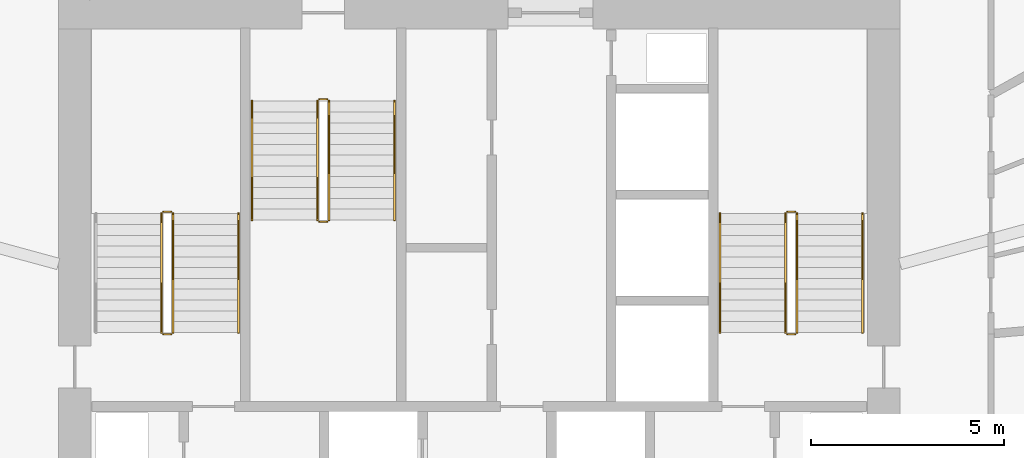
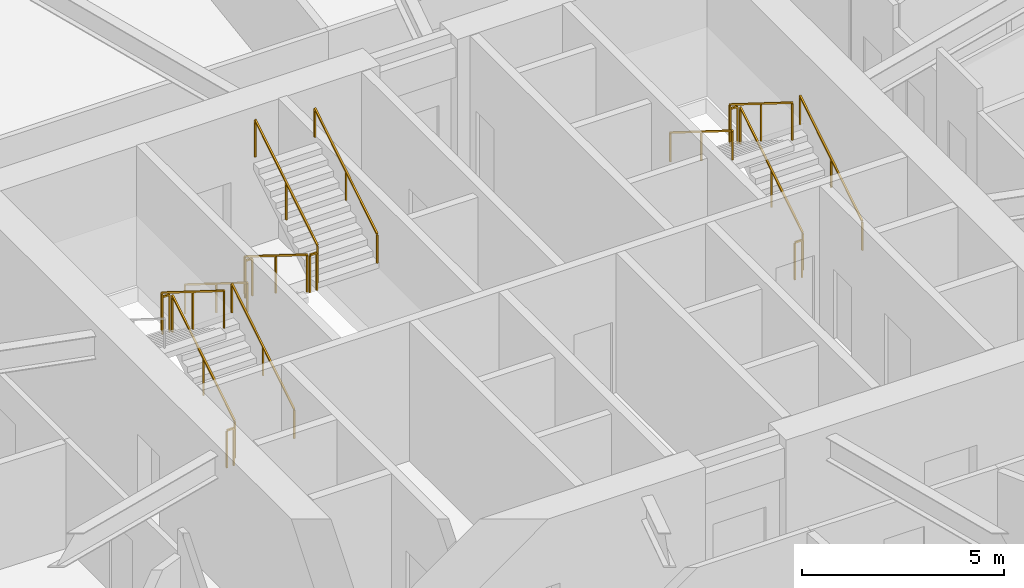
# One storey, part 30 of 31: 17 railings.
"""IFC4 building model written with IfcOpenShell, lengths in metres."""

from ifc_helpers import new_model, si_unit, direction, frame, origin, origin_2d, place, context, subcontext, project, spatial, rectangle, extrude, material, type_object, element, save


model = new_model("IFC4")

# Units and contexts
model_context = context("Model", 3, precision=1e-05, world=origin(), true_north=direction((0.0, 1.0)))
body_context = subcontext(model_context, "Body", "Model", "MODEL_VIEW")
ifc_project = project(units=[si_unit("LENGTHUNIT", "METRE"), si_unit("AREAUNIT", "SQUARE_METRE"), si_unit("VOLUMEUNIT", "CUBIC_METRE"), si_unit("PLANEANGLEUNIT", "RADIAN"), si_unit("MASSUNIT", "GRAM", prefix="KILO")], contexts=[model_context])

# Site, building, storey
site_placement = place(None, origin())
site = spatial("IfcSite", under=ifc_project, at=site_placement, CompositionType="ELEMENT")
building_placement = place(site_placement, origin())
building = spatial("IfcBuilding", under=site, at=building_placement, Name="Zuhravey Tower", CompositionType="ELEMENT")
storey_placement = place(building_placement, frame((0.0, 0.0, 7.800048828125)))
storey = spatial("IfcBuildingStorey", under=building, at=storey_placement, Name="L02", CompositionType="ELEMENT", Elevation=7.800048828125)

# Railings
ifc_material_1 = material(Name="Brushed stainless steel", Category="steel")
railing_type_1 = type_object("IfcRailingType", Name="Stair Wall Handrail 900", PredefinedType="HANDRAIL", material=ifc_material_1)
for number, where, name in (
    (1, (29.75, 33.199951171875, 0.175048828125), "L02 ST1 stair handrail 1"),
    (2, (45.949951171875, 33.199951171875, 0.175048828125), "L02 ST2 stair handrail 1"),
):
    element("IfcRailing", number, at=place(storey_placement, frame(where)), inside=storey, type_object=railing_type_1, Name=name, PredefinedType="HANDRAIL", context=body_context, shape_type="SweptSolid", body=[
        extrude(rectangle(XDim=0.048095703125, YDim=0.048095703125, at=origin_2d()), frame((0.0, 0.001708984375, 0.876953125), z_axis=(0.0, 0.848028513186, 0.529950602248), x_axis=(-1.0, 0.0, 0.0)), (0.0, 0.0, 1.0), 3.6279296875),
        extrude(rectangle(XDim=0.0419921875, YDim=0.0419921875, at=origin_2d()), origin(), (0.0, 0.0, 1.0), 0.849853515625),
        extrude(rectangle(XDim=0.0419921875, YDim=0.0419921875, at=origin_2d()), frame((0.0, 1.5400390625, 0.96240234375)), (0.0, 0.0, 1.0), 0.849853515625),
        extrude(rectangle(XDim=0.0419921875, YDim=0.0419921875, at=origin_2d()), frame((0.0, 3.080078125, 1.9248046875)), (0.0, 0.0, 1.0), 0.849853515625),
    ])
railing_1_placement = place(storey_placement, frame((42.25, 36.280029296875, 2.27490234375)))
element("IfcRailing", 3, at=railing_1_placement, inside=storey, type_object=railing_type_1, Name="L02 ST2 stair handrail 2", PredefinedType="HANDRAIL", context=body_context, shape_type="SweptSolid", body=[
    extrude(rectangle(XDim=0.048095703125, YDim=0.048095703125, at=origin_2d()), frame((0.0, -0.001708984375, 0.876953125), z_axis=(0.0, -0.847998304005, 0.529998940003), x_axis=(1.0, 0.0, 0.0)), (0.0, 0.0, 1.0), 3.628173828125),
    extrude(rectangle(XDim=0.0419921875, YDim=0.0419921875, at=origin_2d()), origin(), (0.0, 0.0, 1.0), 0.849853515625),
    extrude(rectangle(XDim=0.0419921875, YDim=0.0419921875, at=origin_2d()), frame((0.0, -1.5400390625, 0.96240234375)), (0.0, 0.0, 1.0), 0.849853515625),
    extrude(rectangle(XDim=0.0419921875, YDim=0.0419921875, at=origin_2d()), frame((0.0, -3.080078125, 1.925048828125)), (0.0, 0.0, 1.0), 0.849853515625),
])
railing_2_placement = place(storey_placement, frame((30.10009765625, 39.199951171875, 0.175048828125)))
element("IfcRailing", 4, at=railing_2_placement, inside=storey, type_object=railing_type_1, Name="L02 ST3 stair handrail 1", PredefinedType="HANDRAIL", context=body_context, shape_type="SweptSolid", body=[
    extrude(rectangle(XDim=0.048095703125, YDim=0.048095703125, at=origin_2d()), frame((0.0, -0.001708984375, 0.876953125), z_axis=(0.0, -0.848009633417, 0.529980812513), x_axis=(1.0, 0.0, 0.0)), (0.0, 0.0, 1.0), 3.6279296875),
    extrude(rectangle(XDim=0.0419921875, YDim=0.0419921875, at=origin_2d()), origin(), (0.0, 0.0, 1.0), 0.849853515625),
    extrude(rectangle(XDim=0.0419921875, YDim=0.0419921875, at=origin_2d()), frame((0.0, -1.5400390625, 0.96240234375)), (0.0, 0.0, 1.0), 0.849853515625),
    extrude(rectangle(XDim=0.0419921875, YDim=0.0419921875, at=origin_2d()), frame((0.0, -3.079833984375, 1.9248046875)), (0.0, 0.0, 1.0), 0.849853515625),
])
railing_3_placement = place(storey_placement, frame((33.800048828125, 36.1201171875, 2.27490234375)))
element("IfcRailing", 5, at=railing_3_placement, inside=storey, type_object=railing_type_1, Name="L02 ST3 stair handrail 2", PredefinedType="HANDRAIL", context=body_context, shape_type="SweptSolid", body=[
    extrude(rectangle(XDim=0.048095703125, YDim=0.048095703125, at=origin_2d()), frame((0.0, 0.001708984375, 0.876953125), z_axis=(0.0, 0.847979421464, 0.530029150871), x_axis=(-1.0, 0.0, 0.0)), (0.0, 0.0, 1.0), 3.6279296875),
    extrude(rectangle(XDim=0.0419921875, YDim=0.0419921875, at=origin_2d()), origin(), (0.0, 0.0, 1.0), 0.849853515625),
    extrude(rectangle(XDim=0.0419921875, YDim=0.0419921875, at=origin_2d()), frame((0.0, 1.5400390625, 0.96240234375)), (0.0, 0.0, 1.0), 0.849853515625),
    extrude(rectangle(XDim=0.0419921875, YDim=0.0419921875, at=origin_2d()), frame((0.0, 3.079833984375, 1.925048828125)), (0.0, 0.0, 1.0), 0.849853515625),
])
ifc_material_2 = material(Name="Painted tubular steel", Category="steel")
railing_type_2 = type_object("IfcRailingType", Name="Stair Well Guardrail 1150", PredefinedType="GUARDRAIL", material=ifc_material_2)
railing_4_placement = place(storey_placement, frame((28.050048828125, 33.199951171875, 0.175048828125)))
element("IfcRailing", 6, at=railing_4_placement, inside=storey, type_object=railing_type_2, Name="L02 ST1 stair guard 1", PredefinedType="GUARDRAIL", context=body_context, shape_type="SweptSolid", body=[
    extrude(rectangle(XDim=0.048095703125, YDim=0.048095703125, at=origin_2d()), frame((0.0, 0.001708984375, 1.126953125), z_axis=(0.0, 0.848028513186, 0.529950602248), x_axis=(-1.0, 0.0, 0.0)), (0.0, 0.0, 1.0), 3.6279296875),
    extrude(rectangle(XDim=0.0419921875, YDim=0.0419921875, at=origin_2d()), origin(), (0.0, 0.0, 1.0), 1.099853515625),
    extrude(rectangle(XDim=0.0419921875, YDim=0.0419921875, at=origin_2d()), frame((0.0, 1.5400390625, 0.96240234375)), (0.0, 0.0, 1.0), 1.099853515625),
    extrude(rectangle(XDim=0.0419921875, YDim=0.0419921875, at=origin_2d()), frame((0.0, 3.080078125, 1.9248046875)), (0.0, 0.0, 1.0), 1.099853515625),
])
railing_5_placement = place(storey_placement, frame((28.0, 36.330078125, 2.099853515625)))
element("IfcRailing", 7, at=railing_5_placement, inside=storey, type_object=railing_type_2, Name="L02 ST1 stair guard 2", PredefinedType="GUARDRAIL", context=body_context, shape_type="SweptSolid", body=[
    extrude(rectangle(XDim=0.048095703125, YDim=0.048095703125, at=origin_2d()), frame((-0.001953125, 0.0, 1.1259765625), z_axis=(-1.0, 0.0, 0.0), x_axis=(0.0, -1.0, 0.0)), (0.0, 0.0, 1.0), 0.196044921875),
    extrude(rectangle(XDim=0.0419921875, YDim=0.0419921875, at=origin_2d()), origin(), (0.0, 0.0, 1.0), 1.099853515625),
    extrude(rectangle(XDim=0.0419921875, YDim=0.0419921875, at=origin_2d()), frame((-0.199951171875, 0.0, 0.0)), (0.0, 0.0, 1.0), 1.099853515625),
])
railing_6_placement = place(storey_placement, frame((27.75, 36.280029296875, 2.27490234375)))
element("IfcRailing", 8, at=railing_6_placement, inside=storey, type_object=railing_type_2, Name="L02 ST1 stair guard 3", PredefinedType="GUARDRAIL", context=body_context, shape_type="SweptSolid", body=[
    extrude(rectangle(XDim=0.048095703125, YDim=0.048095703125, at=origin_2d()), frame((0.0, -0.001708984375, 1.126953125), z_axis=(0.0, -0.847998304005, 0.529998940003), x_axis=(1.0, 0.0, 0.0)), (0.0, 0.0, 1.0), 3.628173828125),
    extrude(rectangle(XDim=0.0419921875, YDim=0.0419921875, at=origin_2d()), origin(), (0.0, 0.0, 1.0), 1.099853515625),
    extrude(rectangle(XDim=0.0419921875, YDim=0.0419921875, at=origin_2d()), frame((0.0, -1.5400390625, 0.96240234375)), (0.0, 0.0, 1.0), 1.099853515625),
    extrude(rectangle(XDim=0.0419921875, YDim=0.0419921875, at=origin_2d()), frame((0.0, -3.080078125, 1.925048828125)), (0.0, 0.0, 1.0), 1.099853515625),
])
railing_7_placement = place(storey_placement, frame((28.0, 33.14990234375, 0.0)))
element("IfcRailing", 9, at=railing_7_placement, inside=storey, type_object=railing_type_2, Name="L02 ST1 stair guard 4", PredefinedType="GUARDRAIL", context=body_context, shape_type="SweptSolid", body=[
    extrude(rectangle(XDim=0.048095703125, YDim=0.048095703125, at=origin_2d()), frame((-0.001953125, 0.0, 1.1259765625), z_axis=(-1.0, 0.0, 0.0), x_axis=(0.0, -1.0, 0.0)), (0.0, 0.0, 1.0), 0.196044921875),
    extrude(rectangle(XDim=0.0419921875, YDim=0.0419921875, at=origin_2d()), origin(), (0.0, 0.0, 1.0), 1.099853515625),
    extrude(rectangle(XDim=0.0419921875, YDim=0.0419921875, at=origin_2d()), frame((-0.199951171875, 0.0, 0.0)), (0.0, 0.0, 1.0), 1.099853515625),
])
railing_8_placement = place(storey_placement, frame((44.25, 33.199951171875, 0.175048828125)))
element("IfcRailing", 10, at=railing_8_placement, inside=storey, type_object=railing_type_2, Name="L02 ST2 stair guard 1", PredefinedType="GUARDRAIL", context=body_context, shape_type="SweptSolid", body=[
    extrude(rectangle(XDim=0.048095703125, YDim=0.048095703125, at=origin_2d()), frame((0.0, 0.001708984375, 1.126953125), z_axis=(0.0, 0.848028513186, 0.529950602248), x_axis=(-1.0, 0.0, 0.0)), (0.0, 0.0, 1.0), 3.6279296875),
    extrude(rectangle(XDim=0.0419921875, YDim=0.0419921875, at=origin_2d()), origin(), (0.0, 0.0, 1.0), 1.099853515625),
    extrude(rectangle(XDim=0.0419921875, YDim=0.0419921875, at=origin_2d()), frame((0.0, 1.5400390625, 0.96240234375)), (0.0, 0.0, 1.0), 1.099853515625),
    extrude(rectangle(XDim=0.0419921875, YDim=0.0419921875, at=origin_2d()), frame((0.0, 3.080078125, 1.9248046875)), (0.0, 0.0, 1.0), 1.099853515625),
])
railing_9_placement = place(storey_placement, frame((44.199951171875, 36.330078125, 2.099853515625)))
element("IfcRailing", 11, at=railing_9_placement, inside=storey, type_object=railing_type_2, Name="L02 ST2 stair guard 2", PredefinedType="GUARDRAIL", context=body_context, shape_type="SweptSolid", body=[
    extrude(rectangle(XDim=0.048095703125, YDim=0.048095703125, at=origin_2d()), frame((-0.001953125, 0.0, 1.1259765625), z_axis=(-1.0, 0.0, 0.0), x_axis=(0.0, -1.0, 0.0)), (0.0, 0.0, 1.0), 0.196044921875),
    extrude(rectangle(XDim=0.0419921875, YDim=0.0419921875, at=origin_2d()), origin(), (0.0, 0.0, 1.0), 1.099853515625),
    extrude(rectangle(XDim=0.0419921875, YDim=0.0419921875, at=origin_2d()), frame((-0.199951171875, 0.0, 0.0)), (0.0, 0.0, 1.0), 1.099853515625),
])
railing_10_placement = place(storey_placement, frame((43.949951171875, 36.280029296875, 2.27490234375)))
element("IfcRailing", 12, at=railing_10_placement, inside=storey, type_object=railing_type_2, Name="L02 ST2 stair guard 3", PredefinedType="GUARDRAIL", context=body_context, shape_type="SweptSolid", body=[
    extrude(rectangle(XDim=0.048095703125, YDim=0.048095703125, at=origin_2d()), frame((0.0, -0.001708984375, 1.126953125), z_axis=(0.0, -0.847998304005, 0.529998940003), x_axis=(1.0, 0.0, 0.0)), (0.0, 0.0, 1.0), 3.628173828125),
    extrude(rectangle(XDim=0.0419921875, YDim=0.0419921875, at=origin_2d()), origin(), (0.0, 0.0, 1.0), 1.099853515625),
    extrude(rectangle(XDim=0.0419921875, YDim=0.0419921875, at=origin_2d()), frame((0.0, -1.5400390625, 0.96240234375)), (0.0, 0.0, 1.0), 1.099853515625),
    extrude(rectangle(XDim=0.0419921875, YDim=0.0419921875, at=origin_2d()), frame((0.0, -3.080078125, 1.925048828125)), (0.0, 0.0, 1.0), 1.099853515625),
])
railing_11_placement = place(storey_placement, frame((44.199951171875, 33.14990234375, 0.0)))
element("IfcRailing", 13, at=railing_11_placement, inside=storey, type_object=railing_type_2, Name="L02 ST2 stair guard 4", PredefinedType="GUARDRAIL", context=body_context, shape_type="SweptSolid", body=[
    extrude(rectangle(XDim=0.048095703125, YDim=0.048095703125, at=origin_2d()), frame((-0.001953125, 0.0, 1.1259765625), z_axis=(-1.0, 0.0, 0.0), x_axis=(0.0, -1.0, 0.0)), (0.0, 0.0, 1.0), 0.196044921875),
    extrude(rectangle(XDim=0.0419921875, YDim=0.0419921875, at=origin_2d()), origin(), (0.0, 0.0, 1.0), 1.099853515625),
    extrude(rectangle(XDim=0.0419921875, YDim=0.0419921875, at=origin_2d()), frame((-0.199951171875, 0.0, 0.0)), (0.0, 0.0, 1.0), 1.099853515625),
])
railing_12_placement = place(storey_placement, frame((31.800048828125, 39.199951171875, 0.175048828125)))
element("IfcRailing", 14, at=railing_12_placement, inside=storey, type_object=railing_type_2, Name="L02 ST3 stair guard 1", PredefinedType="GUARDRAIL", context=body_context, shape_type="SweptSolid", body=[
    extrude(rectangle(XDim=0.048095703125, YDim=0.048095703125, at=origin_2d()), frame((0.0, -0.001708984375, 1.126953125), z_axis=(0.0, -0.848009633417, 0.529980812513), x_axis=(1.0, 0.0, 0.0)), (0.0, 0.0, 1.0), 3.6279296875),
    extrude(rectangle(XDim=0.0419921875, YDim=0.0419921875, at=origin_2d()), origin(), (0.0, 0.0, 1.0), 1.099853515625),
    extrude(rectangle(XDim=0.0419921875, YDim=0.0419921875, at=origin_2d()), frame((0.0, -1.5400390625, 0.96240234375)), (0.0, 0.0, 1.0), 1.099853515625),
    extrude(rectangle(XDim=0.0419921875, YDim=0.0419921875, at=origin_2d()), frame((0.0, -3.079833984375, 1.9248046875)), (0.0, 0.0, 1.0), 1.099853515625),
])
railing_13_placement = place(storey_placement, frame((31.85009765625, 36.070068359375, 2.099853515625)))
element("IfcRailing", 15, at=railing_13_placement, inside=storey, type_object=railing_type_2, Name="L02 ST3 stair guard 2", PredefinedType="GUARDRAIL", context=body_context, shape_type="SweptSolid", body=[
    extrude(rectangle(XDim=0.048095703125, YDim=0.048095703125, at=origin_2d()), frame((0.001953125, 0.0, 1.1259765625), z_axis=(1.0, 0.0, 0.0), x_axis=(0.0, 1.0, 0.0)), (0.0, 0.0, 1.0), 0.196044921875),
    extrude(rectangle(XDim=0.0419921875, YDim=0.0419921875, at=origin_2d()), origin(), (0.0, 0.0, 1.0), 1.099853515625),
    extrude(rectangle(XDim=0.0419921875, YDim=0.0419921875, at=origin_2d()), frame((0.199951171875, 0.0, 0.0)), (0.0, 0.0, 1.0), 1.099853515625),
])
railing_14_placement = place(storey_placement, frame((32.10009765625, 36.1201171875, 2.27490234375)))
element("IfcRailing", 16, at=railing_14_placement, inside=storey, type_object=railing_type_2, Name="L02 ST3 stair guard 3", PredefinedType="GUARDRAIL", context=body_context, shape_type="SweptSolid", body=[
    extrude(rectangle(XDim=0.048095703125, YDim=0.048095703125, at=origin_2d()), frame((0.0, 0.001708984375, 1.126953125), z_axis=(0.0, 0.847979421464, 0.530029150871), x_axis=(-1.0, 0.0, 0.0)), (0.0, 0.0, 1.0), 3.6279296875),
    extrude(rectangle(XDim=0.0419921875, YDim=0.0419921875, at=origin_2d()), origin(), (0.0, 0.0, 1.0), 1.099853515625),
    extrude(rectangle(XDim=0.0419921875, YDim=0.0419921875, at=origin_2d()), frame((0.0, 1.5400390625, 0.96240234375)), (0.0, 0.0, 1.0), 1.099853515625),
    extrude(rectangle(XDim=0.0419921875, YDim=0.0419921875, at=origin_2d()), frame((0.0, 3.079833984375, 1.925048828125)), (0.0, 0.0, 1.0), 1.099853515625),
])
railing_15_placement = place(storey_placement, frame((31.85009765625, 39.25, 0.0)))
element("IfcRailing", 17, at=railing_15_placement, inside=storey, type_object=railing_type_2, Name="L02 ST3 stair guard 4", PredefinedType="GUARDRAIL", context=body_context, shape_type="SweptSolid", body=[
    extrude(rectangle(XDim=0.048095703125, YDim=0.048095703125, at=origin_2d()), frame((0.001953125, 0.0, 1.1259765625), z_axis=(1.0, 0.0, 0.0), x_axis=(0.0, 1.0, 0.0)), (0.0, 0.0, 1.0), 0.196044921875),
    extrude(rectangle(XDim=0.0419921875, YDim=0.0419921875, at=origin_2d()), origin(), (0.0, 0.0, 1.0), 1.099853515625),
    extrude(rectangle(XDim=0.0419921875, YDim=0.0419921875, at=origin_2d()), frame((0.199951171875, 0.0, 0.0)), (0.0, 0.0, 1.0), 1.099853515625),
])

save(model, "model.ifc")
